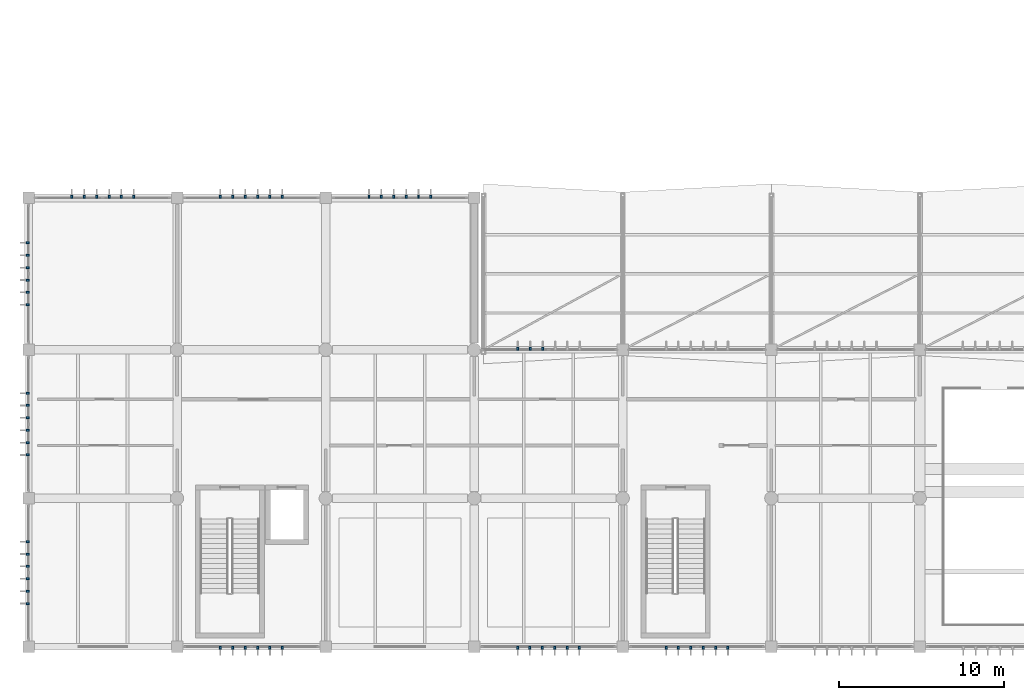
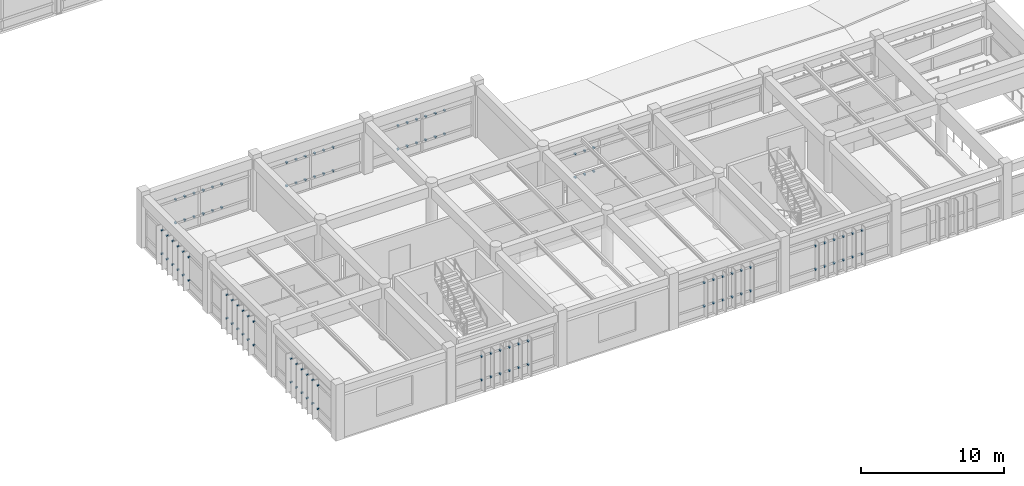
# One storey, part 80 of 90: 114 discrete accessories.
"""IFC4 building model written with IfcOpenShell, lengths in metres."""

from ifc_helpers import new_model, si_unit, direction, frame, origin, origin_2d, place, context, subcontext, project, spatial, rectangle, extrude, material, type_object, element, save


model = new_model("IFC4")

# Units and contexts
model_context = context("Model", 3, precision=1e-05, world=origin(), true_north=direction((0.0, 1.0)))
body_context = subcontext(model_context, "Body", "Model", "MODEL_VIEW")
ifc_project = project(units=[si_unit("LENGTHUNIT", "METRE"), si_unit("AREAUNIT", "SQUARE_METRE"), si_unit("VOLUMEUNIT", "CUBIC_METRE"), si_unit("PLANEANGLEUNIT", "RADIAN"), si_unit("MASSUNIT", "GRAM", prefix="KILO")], contexts=[model_context])

# Site, building, storey
site_placement = place(None, origin())
site = spatial("IfcSite", under=ifc_project, at=site_placement, CompositionType="ELEMENT")
building_placement = place(site_placement, origin())
building = spatial("IfcBuilding", under=site, at=building_placement, Name="Bozkorgan Art Gallery", CompositionType="ELEMENT")
storey_placement = place(building_placement, frame((0.0, 0.0, 5.39990234375)))
storey = spatial("IfcBuildingStorey", under=building, at=storey_placement, Name="L01", CompositionType="ELEMENT", Elevation=5.39990234375)

# Discrete accessories
ifc_material = material(Name="Steel S355J2", Category="steel")
discrete_accessory_type = type_object("IfcDiscreteAccessoryType", Name="ACC-BRK-01", PredefinedType="BRACKET", material=ifc_material)
for number, where, z_axis, x_axis, name in (
    (1, (13.625, 1.93994140625, 0.8701171875), (0.0, 0.0, 1.0), (0.0, -1.0, 0.0), "CW-V1-L01-1S-02 solar fin bracket 1B"),
    (2, (13.625, 1.93994140625, 2.875), (0.0, 0.0, 1.0), (0.0, -1.0, 0.0), "CW-V1-L01-1S-02 solar fin bracket 1T"),
    (3, (14.375, 1.93994140625, 0.8701171875), (0.0, 0.0, 1.0), (0.0, -1.0, 0.0), "CW-V1-L01-1S-02 solar fin bracket 2B"),
    (4, (14.375, 1.93994140625, 2.875), (0.0, 0.0, 1.0), (0.0, -1.0, 0.0), "CW-V1-L01-1S-02 solar fin bracket 2T"),
    (5, (15.125, 1.93994140625, 0.8701171875), (0.0, 0.0, 1.0), (0.0, -1.0, 0.0), "CW-V1-L01-1S-02 solar fin bracket 3B"),
    (6, (15.125, 1.93994140625, 2.875), (0.0, 0.0, 1.0), (0.0, -1.0, 0.0), "CW-V1-L01-1S-02 solar fin bracket 3T"),
    (7, (15.875, 1.93994140625, 0.8701171875), (0.0, 0.0, 1.0), (0.0, -1.0, 0.0), "CW-V1-L01-1S-02 solar fin bracket 4B"),
    (8, (15.875, 1.93994140625, 2.875), (0.0, 0.0, 1.0), (0.0, -1.0, 0.0), "CW-V1-L01-1S-02 solar fin bracket 4T"),
    (9, (16.625, 1.93994140625, 0.8701171875), (0.0, 0.0, 1.0), (0.0, -1.0, 0.0), "CW-V1-L01-1S-02 solar fin bracket 5B"),
    (10, (16.625, 1.93994140625, 2.875), (0.0, 0.0, 1.0), (0.0, -1.0, 0.0), "CW-V1-L01-1S-02 solar fin bracket 5T"),
    (11, (17.375, 1.93994140625, 0.8701171875), (0.0, 0.0, 1.0), (0.0, -1.0, 0.0), "CW-V1-L01-1S-02 solar fin bracket 6B"),
    (12, (17.375, 1.93994140625, 2.875), (0.0, 0.0, 1.0), (0.0, -1.0, 0.0), "CW-V1-L01-1S-02 solar fin bracket 6T"),
    (13, (31.625, 1.93994140625, 0.8701171875), (0.0, 0.0, 1.0), (0.0, -1.0, 0.0), "CW-V1-L01-1S-04 solar fin bracket 1B"),
    (14, (31.625, 1.93994140625, 2.875), (0.0, 0.0, 1.0), (0.0, -1.0, 0.0), "CW-V1-L01-1S-04 solar fin bracket 1T"),
    (15, (32.375, 1.93994140625, 0.8701171875), (0.0, 0.0, 1.0), (0.0, -1.0, 0.0), "CW-V1-L01-1S-04 solar fin bracket 2B"),
    (16, (32.375, 1.93994140625, 2.875), (0.0, 0.0, 1.0), (0.0, -1.0, 0.0), "CW-V1-L01-1S-04 solar fin bracket 2T"),
    (17, (33.125, 1.93994140625, 0.8701171875), (0.0, 0.0, 1.0), (0.0, -1.0, 0.0), "CW-V1-L01-1S-04 solar fin bracket 3B"),
    (18, (33.125, 1.93994140625, 2.875), (0.0, 0.0, 1.0), (0.0, -1.0, 0.0), "CW-V1-L01-1S-04 solar fin bracket 3T"),
    (19, (33.875, 1.93994140625, 0.8701171875), (0.0, 0.0, 1.0), (0.0, -1.0, 0.0), "CW-V1-L01-1S-04 solar fin bracket 4B"),
    (20, (33.875, 1.93994140625, 2.875), (0.0, 0.0, 1.0), (0.0, -1.0, 0.0), "CW-V1-L01-1S-04 solar fin bracket 4T"),
    (21, (34.625, 1.93994140625, 0.8701171875), (0.0, 0.0, 1.0), (0.0, -1.0, 0.0), "CW-V1-L01-1S-04 solar fin bracket 5B"),
    (22, (34.625, 1.93994140625, 2.875), (0.0, 0.0, 1.0), (0.0, -1.0, 0.0), "CW-V1-L01-1S-04 solar fin bracket 5T"),
    (23, (35.375, 1.93994140625, 0.8701171875), (0.0, 0.0, 1.0), (0.0, -1.0, 0.0), "CW-V1-L01-1S-04 solar fin bracket 6B"),
    (24, (35.375, 1.93994140625, 2.875), (0.0, 0.0, 1.0), (0.0, -1.0, 0.0), "CW-V1-L01-1S-04 solar fin bracket 6T"),
    (25, (31.64990234375, 20.06005859375, 0.8701171875), (0.0, 0.0, 1.0), (0.0, 1.0, 0.0), "CW-V1-L01-1N-05 solar fin bracket 1B"),
    (26, (31.64990234375, 20.06005859375, 2.875), (0.0, 0.0, 1.0), (0.0, 1.0, 0.0), "CW-V1-L01-1N-05 solar fin bracket 1T"),
    (27, (32.39990234375, 20.06005859375, 0.8701171875), (0.0, 0.0, 1.0), (0.0, 1.0, 0.0), "CW-V1-L01-1N-05 solar fin bracket 2B"),
    (28, (32.39990234375, 20.06005859375, 2.875), (0.0, 0.0, 1.0), (0.0, 1.0, 0.0), "CW-V1-L01-1N-05 solar fin bracket 2T"),
    (29, (33.14990234375, 20.06005859375, 0.8701171875), (0.0, 0.0, 1.0), (0.0, 1.0, 0.0), "CW-V1-L01-1N-05 solar fin bracket 3B"),
    (30, (33.14990234375, 20.06005859375, 2.875), (0.0, 0.0, 1.0), (0.0, 1.0, 0.0), "CW-V1-L01-1N-05 solar fin bracket 3T"),
    (31, (40.625, 1.93994140625, 0.8701171875), (0.0, 0.0, 1.0), (0.0, -1.0, 0.0), "CW-V1-L01-1S-06 solar fin bracket 1B"),
    (32, (40.625, 1.93994140625, 2.875), (0.0, 0.0, 1.0), (0.0, -1.0, 0.0), "CW-V1-L01-1S-06 solar fin bracket 1T"),
    (33, (41.375, 1.93994140625, 0.8701171875), (0.0, 0.0, 1.0), (0.0, -1.0, 0.0), "CW-V1-L01-1S-06 solar fin bracket 2B"),
    (34, (41.375, 1.93994140625, 2.875), (0.0, 0.0, 1.0), (0.0, -1.0, 0.0), "CW-V1-L01-1S-06 solar fin bracket 2T"),
    (35, (42.125, 1.93994140625, 0.8701171875), (0.0, 0.0, 1.0), (0.0, -1.0, 0.0), "CW-V1-L01-1S-06 solar fin bracket 3B"),
    (36, (42.125, 1.93994140625, 2.875), (0.0, 0.0, 1.0), (0.0, -1.0, 0.0), "CW-V1-L01-1S-06 solar fin bracket 3T"),
    (37, (42.875, 1.93994140625, 0.8701171875), (0.0, 0.0, 1.0), (0.0, -1.0, 0.0), "CW-V1-L01-1S-06 solar fin bracket 4B"),
    (38, (42.875, 1.93994140625, 2.875), (0.0, 0.0, 1.0), (0.0, -1.0, 0.0), "CW-V1-L01-1S-06 solar fin bracket 4T"),
    (39, (43.625, 1.93994140625, 0.8701171875), (0.0, 0.0, 1.0), (0.0, -1.0, 0.0), "CW-V1-L01-1S-06 solar fin bracket 5B"),
    (40, (43.625, 1.93994140625, 2.875), (0.0, 0.0, 1.0), (0.0, -1.0, 0.0), "CW-V1-L01-1S-06 solar fin bracket 5T"),
    (41, (44.375, 1.93994140625, 0.8701171875), (0.0, 0.0, 1.0), (0.0, -1.0, 0.0), "CW-V1-L01-1S-06 solar fin bracket 6B"),
    (42, (44.375, 1.93994140625, 2.875), (0.0, 0.0, 1.0), (0.0, -1.0, 0.0), "CW-V1-L01-1S-06 solar fin bracket 6T"),
    (43, (1.93994140625, 4.625, 0.8701171875), (0.0, 0.0, 1.0), (-1.0, 0.0, 0.0), "CW-V1-L01-1W-12 solar fin bracket 1B"),
    (44, (1.93994140625, 4.625, 2.875), (0.0, 0.0, 1.0), (-1.0, 0.0, 0.0), "CW-V1-L01-1W-12 solar fin bracket 1T"),
    (45, (1.93994140625, 5.375, 0.8701171875), (0.0, 0.0, 1.0), (-1.0, 0.0, 0.0), "CW-V1-L01-1W-12 solar fin bracket 2B"),
    (46, (1.93994140625, 5.375, 2.875), (0.0, 0.0, 1.0), (-1.0, 0.0, 0.0), "CW-V1-L01-1W-12 solar fin bracket 2T"),
    (47, (1.93994140625, 6.125, 0.8701171875), (0.0, 0.0, 1.0), (-1.0, 0.0, 0.0), "CW-V1-L01-1W-12 solar fin bracket 3B"),
    (48, (1.93994140625, 6.125, 2.875), (0.0, 0.0, 1.0), (-1.0, 0.0, 0.0), "CW-V1-L01-1W-12 solar fin bracket 3T"),
    (49, (1.93994140625, 6.875, 0.8701171875), (0.0, 0.0, 1.0), (-1.0, 0.0, 0.0), "CW-V1-L01-1W-12 solar fin bracket 4B"),
    (50, (1.93994140625, 6.875, 2.875), (0.0, 0.0, 1.0), (-1.0, 0.0, 0.0), "CW-V1-L01-1W-12 solar fin bracket 4T"),
    (51, (1.93994140625, 7.625, 0.8701171875), (0.0, 0.0, 1.0), (-1.0, 0.0, 0.0), "CW-V1-L01-1W-12 solar fin bracket 5B"),
    (52, (1.93994140625, 7.625, 2.875), (0.0, 0.0, 1.0), (-1.0, 0.0, 0.0), "CW-V1-L01-1W-12 solar fin bracket 5T"),
    (53, (1.93994140625, 8.375, 0.8701171875), (0.0, 0.0, 1.0), (-1.0, 0.0, 0.0), "CW-V1-L01-1W-12 solar fin bracket 6B"),
    (54, (1.93994140625, 8.375, 2.875), (0.0, 0.0, 1.0), (-1.0, 0.0, 0.0), "CW-V1-L01-1W-12 solar fin bracket 6T"),
    (55, (1.93994140625, 13.625, 0.8701171875), (0.0, 0.0, 1.0), (-1.0, 0.0, 0.0), "CW-V1-L01-1W-14 solar fin bracket 1B"),
    (56, (1.93994140625, 13.625, 2.875), (0.0, 0.0, 1.0), (-1.0, 0.0, 0.0), "CW-V1-L01-1W-14 solar fin bracket 1T"),
    (57, (1.93994140625, 14.375, 0.8701171875), (0.0, 0.0, 1.0), (-1.0, 0.0, 0.0), "CW-V1-L01-1W-14 solar fin bracket 2B"),
    (58, (1.93994140625, 14.375, 2.875), (0.0, 0.0, 1.0), (-1.0, 0.0, 0.0), "CW-V1-L01-1W-14 solar fin bracket 2T"),
    (59, (1.93994140625, 15.125, 0.8701171875), (0.0, 0.0, 1.0), (-1.0, 0.0, 0.0), "CW-V1-L01-1W-14 solar fin bracket 3B"),
    (60, (1.93994140625, 15.125, 2.875), (0.0, 0.0, 1.0), (-1.0, 0.0, 0.0), "CW-V1-L01-1W-14 solar fin bracket 3T"),
    (61, (1.93994140625, 15.875, 0.8701171875), (0.0, 0.0, 1.0), (-1.0, 0.0, 0.0), "CW-V1-L01-1W-14 solar fin bracket 4B"),
    (62, (1.93994140625, 15.875, 2.875), (0.0, 0.0, 1.0), (-1.0, 0.0, 0.0), "CW-V1-L01-1W-14 solar fin bracket 4T"),
    (63, (1.93994140625, 16.625, 0.8701171875), (0.0, 0.0, 1.0), (-1.0, 0.0, 0.0), "CW-V1-L01-1W-14 solar fin bracket 5B"),
    (64, (1.93994140625, 16.625, 2.875), (0.0, 0.0, 1.0), (-1.0, 0.0, 0.0), "CW-V1-L01-1W-14 solar fin bracket 5T"),
    (65, (1.93994140625, 17.375, 0.8701171875), (0.0, 0.0, 1.0), (-1.0, 0.0, 0.0), "CW-V1-L01-1W-14 solar fin bracket 6B"),
    (66, (1.93994140625, 17.375, 2.875), (0.0, 0.0, 1.0), (-1.0, 0.0, 0.0), "CW-V1-L01-1W-14 solar fin bracket 6T"),
    (67, (4.625, 29.260009765625, 0.8701171875), (0.0, 0.0, 1.0), (0.0, 1.0, 0.0), "CW-V1-L01-2N-01 solar fin bracket 1B"),
    (68, (4.625, 29.260009765625, 2.875), (0.0, 0.0, 1.0), (0.0, 1.0, 0.0), "CW-V1-L01-2N-01 solar fin bracket 1T"),
    (69, (5.375, 29.260009765625, 0.8701171875), (0.0, 0.0, 1.0), (0.0, 1.0, 0.0), "CW-V1-L01-2N-01 solar fin bracket 2B"),
    (70, (5.375, 29.260009765625, 2.875), (0.0, 0.0, 1.0), (0.0, 1.0, 0.0), "CW-V1-L01-2N-01 solar fin bracket 2T"),
    (71, (6.125, 29.260009765625, 0.8701171875), (0.0, 0.0, 1.0), (0.0, 1.0, 0.0), "CW-V1-L01-2N-01 solar fin bracket 3B"),
    (72, (6.125, 29.260009765625, 2.875), (0.0, 0.0, 1.0), (0.0, 1.0, 0.0), "CW-V1-L01-2N-01 solar fin bracket 3T"),
    (73, (6.875, 29.260009765625, 0.8701171875), (0.0, 0.0, 1.0), (0.0, 1.0, 0.0), "CW-V1-L01-2N-01 solar fin bracket 4B"),
    (74, (6.875, 29.260009765625, 2.875), (0.0, 0.0, 1.0), (0.0, 1.0, 0.0), "CW-V1-L01-2N-01 solar fin bracket 4T"),
    (75, (7.625, 29.260009765625, 0.8701171875), (0.0, 0.0, 1.0), (0.0, 1.0, 0.0), "CW-V1-L01-2N-01 solar fin bracket 5B"),
    (76, (7.625, 29.260009765625, 2.875), (0.0, 0.0, 1.0), (0.0, 1.0, 0.0), "CW-V1-L01-2N-01 solar fin bracket 5T"),
    (77, (8.375, 29.260009765625, 0.8701171875), (0.0, 0.0, 1.0), (0.0, 1.0, 0.0), "CW-V1-L01-2N-01 solar fin bracket 6B"),
    (78, (8.375, 29.260009765625, 2.875), (0.0, 0.0, 1.0), (0.0, 1.0, 0.0), "CW-V1-L01-2N-01 solar fin bracket 6T"),
    (79, (13.625, 29.260009765625, 0.8701171875), (0.0, 0.0, 1.0), (0.0, 1.0, 0.0), "CW-V1-L01-2N-02 solar fin bracket 1B"),
    (80, (13.625, 29.260009765625, 2.875), (0.0, 0.0, 1.0), (0.0, 1.0, 0.0), "CW-V1-L01-2N-02 solar fin bracket 1T"),
    (81, (14.375, 29.260009765625, 0.8701171875), (0.0, 0.0, 1.0), (0.0, 1.0, 0.0), "CW-V1-L01-2N-02 solar fin bracket 2B"),
    (82, (14.375, 29.260009765625, 2.875), (0.0, 0.0, 1.0), (0.0, 1.0, 0.0), "CW-V1-L01-2N-02 solar fin bracket 2T"),
    (83, (15.125, 29.260009765625, 0.8701171875), (0.0, 0.0, 1.0), (0.0, 1.0, 0.0), "CW-V1-L01-2N-02 solar fin bracket 3B"),
    (84, (15.125, 29.260009765625, 2.875), (0.0, 0.0, 1.0), (0.0, 1.0, 0.0), "CW-V1-L01-2N-02 solar fin bracket 3T"),
    (85, (15.875, 29.260009765625, 0.8701171875), (0.0, 0.0, 1.0), (0.0, 1.0, 0.0), "CW-V1-L01-2N-02 solar fin bracket 4B"),
    (86, (15.875, 29.260009765625, 2.875), (0.0, 0.0, 1.0), (0.0, 1.0, 0.0), "CW-V1-L01-2N-02 solar fin bracket 4T"),
    (87, (16.625, 29.260009765625, 0.8701171875), (0.0, 0.0, 1.0), (0.0, 1.0, 0.0), "CW-V1-L01-2N-02 solar fin bracket 5B"),
    (88, (16.625, 29.260009765625, 2.875), (0.0, 0.0, 1.0), (0.0, 1.0, 0.0), "CW-V1-L01-2N-02 solar fin bracket 5T"),
    (89, (17.375, 29.260009765625, 0.8701171875), (0.0, 0.0, 1.0), (0.0, 1.0, 0.0), "CW-V1-L01-2N-02 solar fin bracket 6B"),
    (90, (17.375, 29.260009765625, 2.875), (0.0, 0.0, 1.0), (0.0, 1.0, 0.0), "CW-V1-L01-2N-02 solar fin bracket 6T"),
    (91, (22.625, 29.260009765625, 0.8701171875), (0.0, 0.0, 1.0), (0.0, 1.0, 0.0), "CW-V1-L01-2N-03 solar fin bracket 1B"),
    (92, (22.625, 29.260009765625, 2.875), (0.0, 0.0, 1.0), (0.0, 1.0, 0.0), "CW-V1-L01-2N-03 solar fin bracket 1T"),
    (93, (23.375, 29.260009765625, 0.8701171875), (0.0, 0.0, 1.0), (0.0, 1.0, 0.0), "CW-V1-L01-2N-03 solar fin bracket 2B"),
    (94, (23.375, 29.260009765625, 2.875), (0.0, 0.0, 1.0), (0.0, 1.0, 0.0), "CW-V1-L01-2N-03 solar fin bracket 2T"),
    (95, (24.125, 29.260009765625, 0.8701171875), (0.0, 0.0, 1.0), (0.0, 1.0, 0.0), "CW-V1-L01-2N-03 solar fin bracket 3B"),
    (96, (24.125, 29.260009765625, 2.875), (0.0, 0.0, 1.0), (0.0, 1.0, 0.0), "CW-V1-L01-2N-03 solar fin bracket 3T"),
    (97, (24.875, 29.260009765625, 0.8701171875), (0.0, 0.0, 1.0), (0.0, 1.0, 0.0), "CW-V1-L01-2N-03 solar fin bracket 4B"),
    (98, (24.875, 29.260009765625, 2.875), (0.0, 0.0, 1.0), (0.0, 1.0, 0.0), "CW-V1-L01-2N-03 solar fin bracket 4T"),
    (99, (25.625, 29.260009765625, 0.8701171875), (0.0, 0.0, 1.0), (0.0, 1.0, 0.0), "CW-V1-L01-2N-03 solar fin bracket 5B"),
    (100, (25.625, 29.260009765625, 2.875), (0.0, 0.0, 1.0), (0.0, 1.0, 0.0), "CW-V1-L01-2N-03 solar fin bracket 5T"),
    (101, (26.375, 29.260009765625, 0.8701171875), (0.0, 0.0, 1.0), (0.0, 1.0, 0.0), "CW-V1-L01-2N-03 solar fin bracket 6B"),
    (102, (26.375, 29.260009765625, 2.875), (0.0, 0.0, 1.0), (0.0, 1.0, 0.0), "CW-V1-L01-2N-03 solar fin bracket 6T"),
    (103, (1.93994140625, 22.72509765625, 0.8701171875), (0.0, 0.0, 1.0), (-1.0, 0.0, 0.0), "CW-V1-L01-2W-04 solar fin bracket 1B"),
    (104, (1.93994140625, 22.72509765625, 2.875), (0.0, 0.0, 1.0), (-1.0, 0.0, 0.0), "CW-V1-L01-2W-04 solar fin bracket 1T"),
    (105, (1.93994140625, 23.47509765625, 0.8701171875), (0.0, 0.0, 1.0), (-1.0, 0.0, 0.0), "CW-V1-L01-2W-04 solar fin bracket 2B"),
    (106, (1.93994140625, 23.47509765625, 2.875), (0.0, 0.0, 1.0), (-1.0, 0.0, 0.0), "CW-V1-L01-2W-04 solar fin bracket 2T"),
    (107, (1.93994140625, 24.22509765625, 0.8701171875), (0.0, 0.0, 1.0), (-1.0, 0.0, 0.0), "CW-V1-L01-2W-04 solar fin bracket 3B"),
    (108, (1.93994140625, 24.22509765625, 2.875), (0.0, 0.0, 1.0), (-1.0, 0.0, 0.0), "CW-V1-L01-2W-04 solar fin bracket 3T"),
    (109, (1.93994140625, 24.97509765625, 0.8701171875), (0.0, 0.0, 1.0), (-1.0, 0.0, 0.0), "CW-V1-L01-2W-04 solar fin bracket 4B"),
    (110, (1.93994140625, 24.97509765625, 2.875), (0.0, 0.0, 1.0), (-1.0, 0.0, 0.0), "CW-V1-L01-2W-04 solar fin bracket 4T"),
    (111, (1.93994140625, 25.72509765625, 0.8701171875), (0.0, 0.0, 1.0), (-1.0, 0.0, 0.0), "CW-V1-L01-2W-04 solar fin bracket 5B"),
    (112, (1.93994140625, 25.72509765625, 2.875), (0.0, 0.0, 1.0), (-1.0, 0.0, 0.0), "CW-V1-L01-2W-04 solar fin bracket 5T"),
    (113, (1.93994140625, 26.47509765625, 0.8701171875), (0.0, 0.0, 1.0), (-1.0, 0.0, 0.0), "CW-V1-L01-2W-04 solar fin bracket 6B"),
    (114, (1.93994140625, 26.47509765625, 2.875), (0.0, 0.0, 1.0), (-1.0, 0.0, 0.0), "CW-V1-L01-2W-04 solar fin bracket 6T"),
):
    element("IfcDiscreteAccessory", number, at=place(storey_placement, frame(where, z_axis=z_axis, x_axis=x_axis)), inside=storey, type_object=discrete_accessory_type, Name=name, PredefinedType="BRACKET", context=body_context, shape_type="SweptSolid", body=[
        extrude(rectangle(XDim=0.179931640625, YDim=0.1201171875, at=origin_2d()), origin(), (0.0, 0.0, 1.0), 0.10009765625),
    ])

save(model, "model.ifc")
